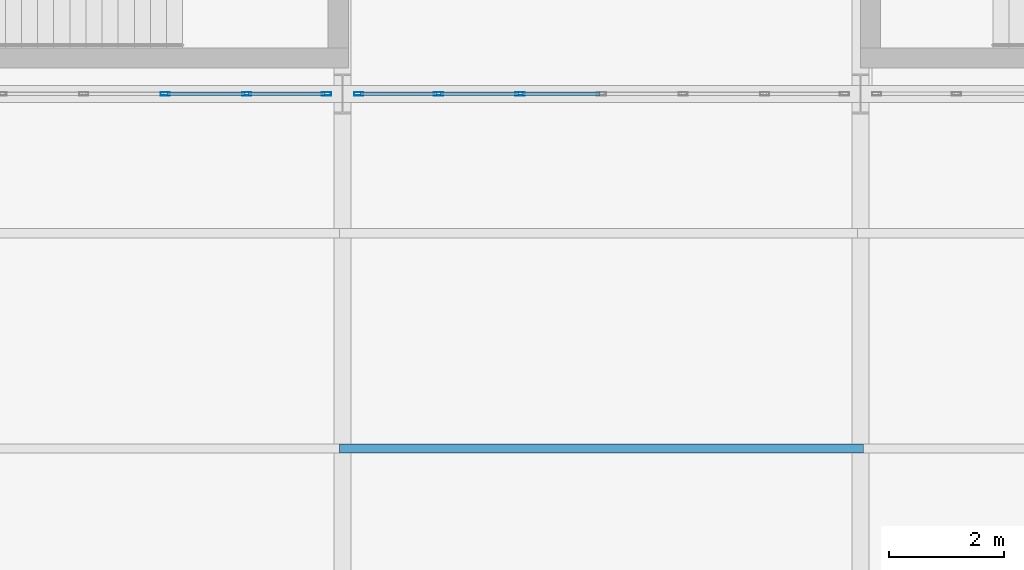
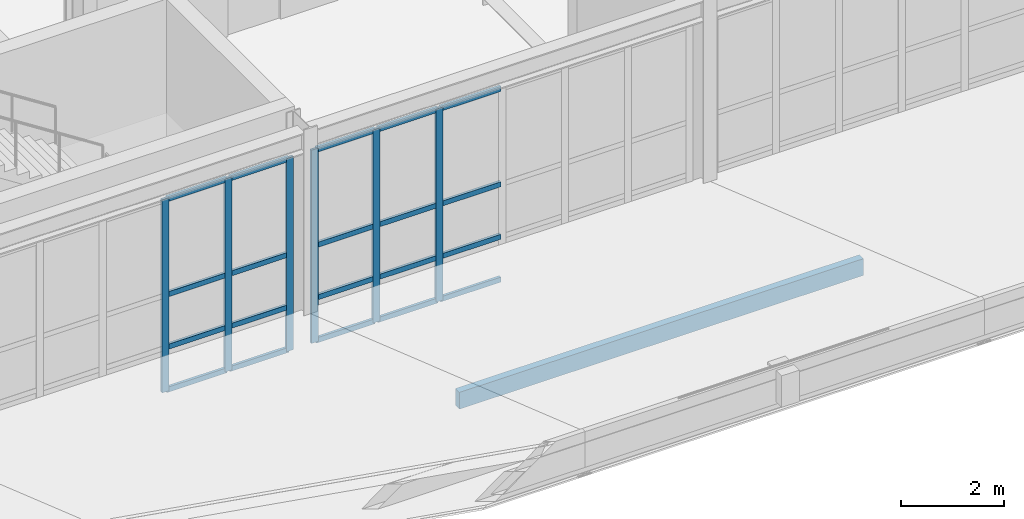
# One storey, part 56 of 239: 27 members, 2 elements without a shape of their own.
"""IFC4 building model written with IfcOpenShell, lengths in metres."""

from ifc_helpers import new_model, si_unit, direction, frame, origin, origin_2d, place, context, subcontext, project, spatial, rectangle, hollow_rectangle, extrude, material, material_profile, profile_set, type_object, element, aggregate, save


model = new_model("IFC4")

# Units and contexts
model_context = context("Model", 3, precision=1e-05, world=origin(), true_north=direction((0.0, 1.0)))
body_context = subcontext(model_context, "Body", "Model", "MODEL_VIEW")
ifc_project = project(units=[si_unit("LENGTHUNIT", "METRE"), si_unit("AREAUNIT", "SQUARE_METRE"), si_unit("VOLUMEUNIT", "CUBIC_METRE"), si_unit("PLANEANGLEUNIT", "RADIAN"), si_unit("MASSUNIT", "GRAM", prefix="KILO")], contexts=[model_context])

# Site, building, storey
site_placement = place(None, origin())
site = spatial("IfcSite", under=ifc_project, at=site_placement, CompositionType="ELEMENT")
building_placement = place(site_placement, origin())
building = spatial("IfcBuilding", under=site, at=building_placement, Name="Kaldris Quays Convention Centre", CompositionType="ELEMENT")
storey_placement = place(building_placement, frame((0.0, 0.0, 11.39990234375)))
storey = spatial("IfcBuildingStorey", under=building, at=storey_placement, Name="L02", CompositionType="ELEMENT", Elevation=11.39990234375)

# Curtain wall, members
ifc_material_1 = material(Name="Anodized aluminium AW-6060 and triple glazing", Category="aluminium")
curtain_wall_type = type_object("IfcCurtainWallType", Name="UNITISED CURTAIN WALL CW04", PredefinedType="NOTDEFINED", material=ifc_material_1)
curtain_wall_1_placement = place(storey_placement, origin())
curtain_wall_1 = element("IfcCurtainWall", 1, at=curtain_wall_1_placement, inside=storey, type_object=curtain_wall_type, Name="L02 Unitised Curtain Wall CW04 117", PredefinedType="NOTDEFINED")
ifc_material_2 = material(Name="Anodized aluminium AW-6060", Category="aluminium")
ifc_material_profile_1 = material_profile(ifc_material_2, hollow_rectangle(XDim=0.06005859375, YDim=0.159912109375, WallThickness=0.00390625, at=origin_2d()), Name="RHS 160x60x4")
ifc_profile_set_1 = profile_set([ifc_material_profile_1], Name="Anodized aluminium AW-6060")
member_type_1 = type_object("IfcMemberType", Name="CURTAIN MULLION CWM1", PredefinedType="MULLION", material=ifc_profile_set_1)
member_1_placement = place(storey_placement, frame((115.916748046875, 38.0, 0.0), z_axis=(0.0, 0.0, 1.0), x_axis=(0.0, 1.0, 0.0)))
member_1 = element("IfcMember", 2, at=member_1_placement, type_object=member_type_1, Name="CW04 mullion 5", PredefinedType="MULLION", context=body_context, shape_type="SweptSolid", body=[
    extrude(hollow_rectangle(XDim=0.06005859375, YDim=0.159912109375, WallThickness=0.00390625, at=origin_2d()), origin(), (0.0, 0.0, 1.0), 4.60009765625),
])
member_2_placement = place(storey_placement, frame((117.333251953125, 38.0, 0.0), z_axis=(0.0, 0.0, 1.0), x_axis=(0.0, 1.0, 0.0)))
member_2 = element("IfcMember", 3, at=member_2_placement, type_object=member_type_1, Name="CW04 mullion 6", PredefinedType="MULLION", context=body_context, shape_type="SweptSolid", body=[
    extrude(hollow_rectangle(XDim=0.06005859375, YDim=0.159912109375, WallThickness=0.00390625, at=origin_2d()), origin(), (0.0, 0.0, 1.0), 4.60009765625),
])
member_3_placement = place(storey_placement, frame((118.719970703125, 38.0, 0.0), z_axis=(0.0, 0.0, 1.0), x_axis=(0.0, 1.0, 0.0)))
member_3 = element("IfcMember", 4, at=member_3_placement, type_object=member_type_1, Name="CW04 mullion 7", PredefinedType="MULLION", context=body_context, shape_type="SweptSolid", body=[
    extrude(hollow_rectangle(XDim=0.06005859375, YDim=0.159912109375, WallThickness=0.00390625, at=origin_2d()), origin(), (0.0, 0.0, 1.0), 4.60009765625),
])

curtain_wall_2_placement = place(storey_placement, origin())
curtain_wall_2 = element("IfcCurtainWall", 5, at=curtain_wall_2_placement, inside=storey, type_object=curtain_wall_type, Name="L02 Unitised Curtain Wall CW04 118", PredefinedType="NOTDEFINED")
member_4_placement = place(storey_placement, frame((119.280029296875, 38.0, 0.0), z_axis=(0.0, 0.0, 1.0), x_axis=(0.0, 1.0, 0.0)))
member_4 = element("IfcMember", 6, at=member_4_placement, type_object=member_type_1, Name="CW04 mullion 1", PredefinedType="MULLION", context=body_context, shape_type="SweptSolid", body=[
    extrude(hollow_rectangle(XDim=0.06005859375, YDim=0.159912109375, WallThickness=0.00390625, at=origin_2d()), origin(), (0.0, 0.0, 1.0), 4.60009765625),
])
member_5_placement = place(storey_placement, frame((120.666748046875, 38.0, 0.0), z_axis=(0.0, 0.0, 1.0), x_axis=(0.0, 1.0, 0.0)))
member_5 = element("IfcMember", 7, at=member_5_placement, type_object=member_type_1, Name="CW04 mullion 2", PredefinedType="MULLION", context=body_context, shape_type="SweptSolid", body=[
    extrude(hollow_rectangle(XDim=0.06005859375, YDim=0.159912109375, WallThickness=0.00390625, at=origin_2d()), origin(), (0.0, 0.0, 1.0), 4.60009765625),
])
member_6_placement = place(storey_placement, frame((122.083251953125, 38.0, 0.0), z_axis=(0.0, 0.0, 1.0), x_axis=(0.0, 1.0, 0.0)))
member_6 = element("IfcMember", 8, at=member_6_placement, type_object=member_type_1, Name="CW04 mullion 3", PredefinedType="MULLION", context=body_context, shape_type="SweptSolid", body=[
    extrude(hollow_rectangle(XDim=0.06005859375, YDim=0.159912109375, WallThickness=0.00390625, at=origin_2d()), origin(), (0.0, 0.0, 1.0), 4.60009765625),
])

# Member
ifc_material_profile_2 = material_profile(ifc_material_2, hollow_rectangle(XDim=0.06005859375, YDim=0.1201171875, WallThickness=0.00390625, at=origin_2d()), Name="RHS 120x60x4")
ifc_profile_set_2 = profile_set([ifc_material_profile_2], Name="Anodized aluminium AW-6060")
member_type_2 = type_object("IfcMemberType", Name="CURTAIN TRANSOM CWT1", PredefinedType="USERDEFINED", material=ifc_profile_set_2)
member_7_placement = place(storey_placement, frame((115.94677734375, 38.0, 0.030029296875), z_axis=(1.0, 0.0, 0.0), x_axis=(0.0, 1.0, 0.0)))
member_7 = element("IfcMember", 9, at=member_7_placement, type_object=member_type_2, Name="CW04 transom 5.1", ObjectType="TRANSOM", PredefinedType="USERDEFINED", context=body_context, shape_type="SweptSolid", body=[
    extrude(hollow_rectangle(XDim=0.06005859375, YDim=0.1201171875, WallThickness=0.00390625, at=origin_2d()), origin(), (0.0, 0.0, 1.0), 1.3564453125),
])

member_8_placement = place(storey_placement, frame((115.94677734375, 38.0, 1.050048828125), z_axis=(1.0, 0.0, 0.0), x_axis=(0.0, 1.0, 0.0)))
member_8 = element("IfcMember", 10, at=member_8_placement, type_object=member_type_2, Name="CW04 transom 5.2", ObjectType="TRANSOM", PredefinedType="USERDEFINED", context=body_context, shape_type="SweptSolid", body=[
    extrude(hollow_rectangle(XDim=0.06005859375, YDim=0.1201171875, WallThickness=0.00390625, at=origin_2d()), origin(), (0.0, 0.0, 1.0), 1.3564453125),
])

member_9_placement = place(storey_placement, frame((115.94677734375, 38.0, 2.300048828125), z_axis=(1.0, 0.0, 0.0), x_axis=(0.0, 1.0, 0.0)))
member_9 = element("IfcMember", 11, at=member_9_placement, type_object=member_type_2, Name="CW04 transom 5.3", ObjectType="TRANSOM", PredefinedType="USERDEFINED", context=body_context, shape_type="SweptSolid", body=[
    extrude(hollow_rectangle(XDim=0.06005859375, YDim=0.1201171875, WallThickness=0.00390625, at=origin_2d()), origin(), (0.0, 0.0, 1.0), 1.3564453125),
])

member_10_placement = place(storey_placement, frame((115.94677734375, 38.0, 4.570068359375), z_axis=(1.0, 0.0, 0.0), x_axis=(0.0, 1.0, 0.0)))
member_10 = element("IfcMember", 12, at=member_10_placement, type_object=member_type_2, Name="CW04 transom 5.4", ObjectType="TRANSOM", PredefinedType="USERDEFINED", context=body_context, shape_type="SweptSolid", body=[
    extrude(hollow_rectangle(XDim=0.06005859375, YDim=0.1201171875, WallThickness=0.00390625, at=origin_2d()), origin(), (0.0, 0.0, 1.0), 1.3564453125),
])

member_11_placement = place(storey_placement, frame((117.36328125, 38.0, 0.030029296875), z_axis=(1.0, 0.0, 0.0), x_axis=(0.0, 1.0, 0.0)))
member_11 = element("IfcMember", 13, at=member_11_placement, type_object=member_type_2, Name="CW04 transom 6.1", ObjectType="TRANSOM", PredefinedType="USERDEFINED", context=body_context, shape_type="SweptSolid", body=[
    extrude(hollow_rectangle(XDim=0.06005859375, YDim=0.1201171875, WallThickness=0.00390625, at=origin_2d()), origin(), (0.0, 0.0, 1.0), 1.32666015625),
])

member_12_placement = place(storey_placement, frame((117.36328125, 38.0, 1.050048828125), z_axis=(1.0, 0.0, 0.0), x_axis=(0.0, 1.0, 0.0)))
member_12 = element("IfcMember", 14, at=member_12_placement, type_object=member_type_2, Name="CW04 transom 6.2", ObjectType="TRANSOM", PredefinedType="USERDEFINED", context=body_context, shape_type="SweptSolid", body=[
    extrude(hollow_rectangle(XDim=0.06005859375, YDim=0.1201171875, WallThickness=0.00390625, at=origin_2d()), origin(), (0.0, 0.0, 1.0), 1.32666015625),
])

member_13_placement = place(storey_placement, frame((117.36328125, 38.0, 2.300048828125), z_axis=(1.0, 0.0, 0.0), x_axis=(0.0, 1.0, 0.0)))
member_13 = element("IfcMember", 15, at=member_13_placement, type_object=member_type_2, Name="CW04 transom 6.3", ObjectType="TRANSOM", PredefinedType="USERDEFINED", context=body_context, shape_type="SweptSolid", body=[
    extrude(hollow_rectangle(XDim=0.06005859375, YDim=0.1201171875, WallThickness=0.00390625, at=origin_2d()), origin(), (0.0, 0.0, 1.0), 1.32666015625),
])

member_14_placement = place(storey_placement, frame((117.36328125, 38.0, 4.570068359375), z_axis=(1.0, 0.0, 0.0), x_axis=(0.0, 1.0, 0.0)))
member_14 = element("IfcMember", 16, at=member_14_placement, type_object=member_type_2, Name="CW04 transom 6.4", ObjectType="TRANSOM", PredefinedType="USERDEFINED", context=body_context, shape_type="SweptSolid", body=[
    extrude(hollow_rectangle(XDim=0.06005859375, YDim=0.1201171875, WallThickness=0.00390625, at=origin_2d()), origin(), (0.0, 0.0, 1.0), 1.32666015625),
])

aggregate(curtain_wall_1, [member_1, member_2, member_3, member_7, member_8, member_9, member_10, member_11, member_12, member_13, member_14])

member_15_placement = place(storey_placement, frame((119.31005859375, 38.0, 0.030029296875), z_axis=(1.0, 0.0, 0.0), x_axis=(0.0, 1.0, 0.0)))
member_15 = element("IfcMember", 17, at=member_15_placement, type_object=member_type_2, Name="CW04 transom 1.1", ObjectType="TRANSOM", PredefinedType="USERDEFINED", context=body_context, shape_type="SweptSolid", body=[
    extrude(hollow_rectangle(XDim=0.06005859375, YDim=0.1201171875, WallThickness=0.00390625, at=origin_2d()), origin(), (0.0, 0.0, 1.0), 1.32666015625),
])

member_16_placement = place(storey_placement, frame((119.31005859375, 38.0, 1.050048828125), z_axis=(1.0, 0.0, 0.0), x_axis=(0.0, 1.0, 0.0)))
member_16 = element("IfcMember", 18, at=member_16_placement, type_object=member_type_2, Name="CW04 transom 1.2", ObjectType="TRANSOM", PredefinedType="USERDEFINED", context=body_context, shape_type="SweptSolid", body=[
    extrude(hollow_rectangle(XDim=0.06005859375, YDim=0.1201171875, WallThickness=0.00390625, at=origin_2d()), origin(), (0.0, 0.0, 1.0), 1.32666015625),
])

member_17_placement = place(storey_placement, frame((119.31005859375, 38.0, 2.300048828125), z_axis=(1.0, 0.0, 0.0), x_axis=(0.0, 1.0, 0.0)))
member_17 = element("IfcMember", 19, at=member_17_placement, type_object=member_type_2, Name="CW04 transom 1.3", ObjectType="TRANSOM", PredefinedType="USERDEFINED", context=body_context, shape_type="SweptSolid", body=[
    extrude(hollow_rectangle(XDim=0.06005859375, YDim=0.1201171875, WallThickness=0.00390625, at=origin_2d()), origin(), (0.0, 0.0, 1.0), 1.32666015625),
])

member_18_placement = place(storey_placement, frame((119.31005859375, 38.0, 4.570068359375), z_axis=(1.0, 0.0, 0.0), x_axis=(0.0, 1.0, 0.0)))
member_18 = element("IfcMember", 20, at=member_18_placement, type_object=member_type_2, Name="CW04 transom 1.4", ObjectType="TRANSOM", PredefinedType="USERDEFINED", context=body_context, shape_type="SweptSolid", body=[
    extrude(hollow_rectangle(XDim=0.06005859375, YDim=0.1201171875, WallThickness=0.00390625, at=origin_2d()), origin(), (0.0, 0.0, 1.0), 1.32666015625),
])

member_19_placement = place(storey_placement, frame((120.69677734375, 38.0, 0.030029296875), z_axis=(1.0, 0.0, 0.0), x_axis=(0.0, 1.0, 0.0)))
member_19 = element("IfcMember", 21, at=member_19_placement, type_object=member_type_2, Name="CW04 transom 2.1", ObjectType="TRANSOM", PredefinedType="USERDEFINED", context=body_context, shape_type="SweptSolid", body=[
    extrude(hollow_rectangle(XDim=0.06005859375, YDim=0.1201171875, WallThickness=0.00390625, at=origin_2d()), origin(), (0.0, 0.0, 1.0), 1.3564453125),
])

member_20_placement = place(storey_placement, frame((120.69677734375, 38.0, 1.050048828125), z_axis=(1.0, 0.0, 0.0), x_axis=(0.0, 1.0, 0.0)))
member_20 = element("IfcMember", 22, at=member_20_placement, type_object=member_type_2, Name="CW04 transom 2.2", ObjectType="TRANSOM", PredefinedType="USERDEFINED", context=body_context, shape_type="SweptSolid", body=[
    extrude(hollow_rectangle(XDim=0.06005859375, YDim=0.1201171875, WallThickness=0.00390625, at=origin_2d()), origin(), (0.0, 0.0, 1.0), 1.3564453125),
])

member_21_placement = place(storey_placement, frame((120.69677734375, 38.0, 2.300048828125), z_axis=(1.0, 0.0, 0.0), x_axis=(0.0, 1.0, 0.0)))
member_21 = element("IfcMember", 23, at=member_21_placement, type_object=member_type_2, Name="CW04 transom 2.3", ObjectType="TRANSOM", PredefinedType="USERDEFINED", context=body_context, shape_type="SweptSolid", body=[
    extrude(hollow_rectangle(XDim=0.06005859375, YDim=0.1201171875, WallThickness=0.00390625, at=origin_2d()), origin(), (0.0, 0.0, 1.0), 1.3564453125),
])

member_22_placement = place(storey_placement, frame((120.69677734375, 38.0, 4.570068359375), z_axis=(1.0, 0.0, 0.0), x_axis=(0.0, 1.0, 0.0)))
member_22 = element("IfcMember", 24, at=member_22_placement, type_object=member_type_2, Name="CW04 transom 2.4", ObjectType="TRANSOM", PredefinedType="USERDEFINED", context=body_context, shape_type="SweptSolid", body=[
    extrude(hollow_rectangle(XDim=0.06005859375, YDim=0.1201171875, WallThickness=0.00390625, at=origin_2d()), origin(), (0.0, 0.0, 1.0), 1.3564453125),
])

member_23_placement = place(storey_placement, frame((122.11328125, 38.0, 0.030029296875), z_axis=(1.0, 0.0, 0.0), x_axis=(0.0, 1.0, 0.0)))
member_23 = element("IfcMember", 25, at=member_23_placement, type_object=member_type_2, Name="CW04 transom 3.1", ObjectType="TRANSOM", PredefinedType="USERDEFINED", context=body_context, shape_type="SweptSolid", body=[
    extrude(hollow_rectangle(XDim=0.06005859375, YDim=0.1201171875, WallThickness=0.00390625, at=origin_2d()), origin(), (0.0, 0.0, 1.0), 1.356689453125),
])

member_24_placement = place(storey_placement, frame((122.11328125, 38.0, 1.050048828125), z_axis=(1.0, 0.0, 0.0), x_axis=(0.0, 1.0, 0.0)))
member_24 = element("IfcMember", 26, at=member_24_placement, type_object=member_type_2, Name="CW04 transom 3.2", ObjectType="TRANSOM", PredefinedType="USERDEFINED", context=body_context, shape_type="SweptSolid", body=[
    extrude(hollow_rectangle(XDim=0.06005859375, YDim=0.1201171875, WallThickness=0.00390625, at=origin_2d()), origin(), (0.0, 0.0, 1.0), 1.356689453125),
])

member_25_placement = place(storey_placement, frame((122.11328125, 38.0, 2.300048828125), z_axis=(1.0, 0.0, 0.0), x_axis=(0.0, 1.0, 0.0)))
member_25 = element("IfcMember", 27, at=member_25_placement, type_object=member_type_2, Name="CW04 transom 3.3", ObjectType="TRANSOM", PredefinedType="USERDEFINED", context=body_context, shape_type="SweptSolid", body=[
    extrude(hollow_rectangle(XDim=0.06005859375, YDim=0.1201171875, WallThickness=0.00390625, at=origin_2d()), origin(), (0.0, 0.0, 1.0), 1.356689453125),
])

member_26_placement = place(storey_placement, frame((122.11328125, 38.0, 4.570068359375), z_axis=(1.0, 0.0, 0.0), x_axis=(0.0, 1.0, 0.0)))
member_26 = element("IfcMember", 28, at=member_26_placement, type_object=member_type_2, Name="CW04 transom 3.4", ObjectType="TRANSOM", PredefinedType="USERDEFINED", context=body_context, shape_type="SweptSolid", body=[
    extrude(hollow_rectangle(XDim=0.06005859375, YDim=0.1201171875, WallThickness=0.00390625, at=origin_2d()), origin(), (0.0, 0.0, 1.0), 1.356689453125),
])

aggregate(curtain_wall_2, [member_4, member_5, member_6, member_15, member_16, member_17, member_18, member_19, member_20, member_21, member_22, member_23, member_24, member_25, member_26])

ifc_material_3 = material(Name="Glulam GL28h", Category="wood")
ifc_material_profile_3 = material_profile(ifc_material_3, rectangle(XDim=0.159912109375, YDim=0.39990234375, at=origin_2d()), Name="GL 160x400")
ifc_profile_set_3 = profile_set([ifc_material_profile_3], Name="Glulam GL28h")
member_type_3 = type_object("IfcMemberType", Name="STRUCTURAL MEMBER PR01", PredefinedType="PURLIN", material=ifc_profile_set_3)
member_27_placement = place(storey_placement, frame((118.949951171875, 31.840087890625, 2.489013671875), z_axis=(1.0, 0.0, 0.0), x_axis=(0.0, 1.0, 0.0)))
element("IfcMember", 29, at=member_27_placement, inside=storey, type_object=member_type_3, Name="WR-SOUTH-ENTRY Glulam Wing Purlin 5", PredefinedType="PURLIN", context=body_context, shape_type="SweptSolid", body=[
    extrude(rectangle(XDim=0.159912109375, YDim=0.39990234375, at=origin_2d()), origin(), (0.0, 0.0, 1.0), 9.10009765625),
])

save(model, "model.ifc")
